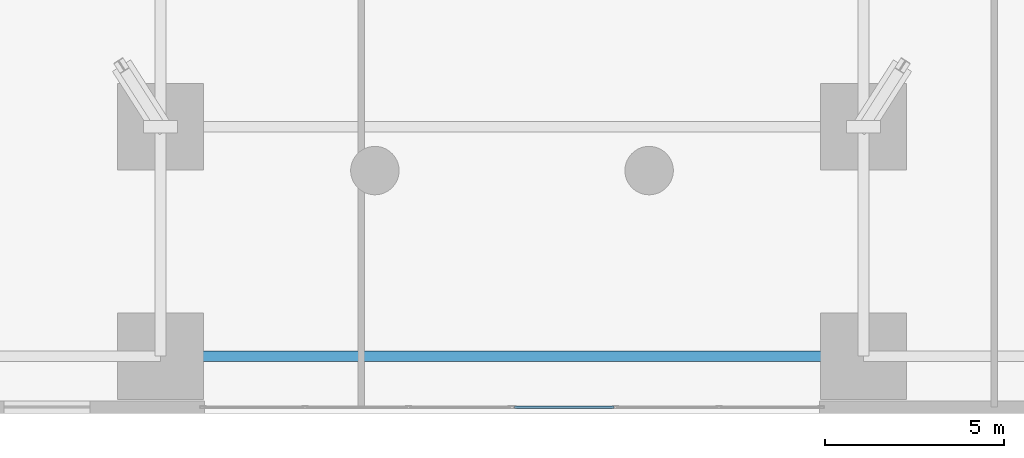
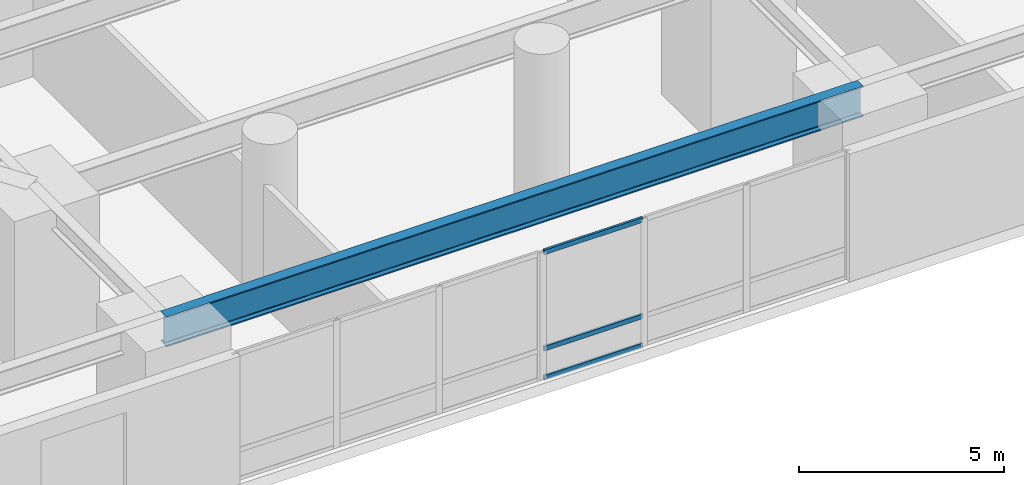
# One storey, part 5 of 17: 3 members, 1 beam, 1 element without a shape of its own.
"""IFC4 building model written with IfcOpenShell, lengths in metres."""

import ifcopenshell
import ifcopenshell.guid

model = None  # the IFC model being written
_history = None  # IfcOwnerHistory: only IFC2X3 demands one
_inside = {}  # id of a spatial element -> (the spatial element, [elements in it])
_under = {}  # id of a project, library or spatial element -> (it, [spatial elements below it])
_declared = {}  # id of a project -> (the project, [libraries it declares])
_typed = {}  # id of a type object -> (the type object, [elements of that type])
_made_of = {}  # id of a material, layer set ... -> (it, [elements and type objects made of it])


def new_model(schema):
    """Start an empty IFC model of exactly this schema.

    Asked for "IFC4X3", IfcOpenShell would pick the latest addendum, in which some entities
    have other attributes; the version numbers below select the first issue.
    IFC2X3 requires an IfcOwnerHistory on every rooted entity: one is made here for all.
    """
    global model, _history
    if schema == "IFC4X3":
        model = ifcopenshell.file(schema_version=(4, 3, 0, 0))
    else:
        model = ifcopenshell.file(schema=schema)
    _inside.clear()
    _under.clear()
    _declared.clear()
    _typed.clear()
    _made_of.clear()
    _history = None
    if model.schema == "IFC2X3":
        org = make("IfcOrganization", Name="unknown")
        user = make(
            "IfcPersonAndOrganization",
            ThePerson=make("IfcPerson", FamilyName="unknown"),
            TheOrganization=org,
        )
        app = make(
            "IfcApplication",
            ApplicationDeveloper=org,
            Version="unknown",
            ApplicationFullName="unknown",
            ApplicationIdentifier="unknown",
        )
        _history = make(
            "IfcOwnerHistory",
            OwningUser=user,
            OwningApplication=app,
            ChangeAction="ADDED",
            CreationDate=0,
        )
    return model


def make(cls, **values):
    """One entity of the class cls with the attributes given. An attribute that is None is left unset."""
    return model.create_entity(
        cls, **{name: value for name, value in values.items() if value is not None}
    )


def rooted(cls, **values):
    """An entity with a GlobalId (a new one), such as an element, a storey or a relation."""
    return make(cls, GlobalId=ifcopenshell.guid.new(), OwnerHistory=_history, **values)


def si_unit(unit_type, name, prefix=None):
    """IfcSIUnit, for example si_unit("LENGTHUNIT", "METRE", prefix="MILLI")."""
    return make("IfcSIUnit", UnitType=unit_type, Prefix=prefix, Name=name)


def assignment(units):
    """IfcUnitAssignment: the units of a project."""
    return None if units is None else make("IfcUnitAssignment", Units=units)


def point(xyz):
    """IfcCartesianPoint."""
    return None if xyz is None else make("IfcCartesianPoint", Coordinates=xyz)


def direction(xyz):
    """IfcDirection."""
    return None if xyz is None else make("IfcDirection", DirectionRatios=xyz)


def frame(location, z_axis=None, x_axis=None):
    """IfcAxis2Placement3D, a coordinate frame: its origin and axes. An axis left out is left unset."""
    return make(
        "IfcAxis2Placement3D",
        Location=point(location),
        Axis=direction(z_axis),
        RefDirection=direction(x_axis),
    )


def frame_2d(location, x_axis=None):
    """IfcAxis2Placement2D, a coordinate frame in the plane: its origin and x axis."""
    return make(
        "IfcAxis2Placement2D", Location=point(location), RefDirection=direction(x_axis)
    )


def origin():
    """The frame at (0, 0, 0) with its axes left unset."""
    return frame((0.0, 0.0, 0.0))


def origin_2d():
    """The frame at (0, 0) in the plane with its x axis left unset."""
    return frame_2d((0.0, 0.0))


def place(relative_to, where):
    """IfcLocalPlacement: puts the frame where relative to a parent placement (None: the world)."""
    return make(
        "IfcLocalPlacement", PlacementRelTo=relative_to, RelativePlacement=where
    )


def context(
    kind, dimensions, precision=None, world=None, true_north=None, identifier=None
):
    """IfcGeometricRepresentationContext, for example the 3D "Model" context."""
    return make(
        "IfcGeometricRepresentationContext",
        ContextIdentifier=identifier,
        ContextType=kind,
        CoordinateSpaceDimension=dimensions,
        Precision=precision,
        WorldCoordinateSystem=world,
        TrueNorth=true_north,
    )


def subcontext(parent, identifier, kind, view, scale=None):
    """IfcGeometricRepresentationSubContext, for example "Body" below "Model"."""
    return make(
        "IfcGeometricRepresentationSubContext",
        ContextIdentifier=identifier,
        ContextType=kind,
        ParentContext=parent,
        TargetScale=scale,
        TargetView=view,
    )


def project(units=None, contexts=None):
    """IfcProject with its units and contexts."""
    return rooted(
        "IfcProject",
        Name="project",
        RepresentationContexts=contexts,
        UnitsInContext=assignment(units),
    )


def spatial(cls, under=None, at=None, **own):
    """A site, building, storey or space (cls), placed at a placement, below another one or the project."""
    s = rooted(cls, ObjectPlacement=at, **own)
    if under is not None:
        _under.setdefault(under.id(), (under, []))[1].append(s)
    return s


def profile(cls, at=None, kind="AREA", **sizes):
    """A parametric profile (cls). Its sizes go by their IFC names, for example OverallWidth=200.0."""
    return make(cls, ProfileType=kind, Position=at, **sizes)


def hollow_rectangle(**sizes):
    """IfcRectangleHollowProfileDef."""
    return profile("IfcRectangleHollowProfileDef", **sizes)


def i_section(**sizes):
    """IfcIShapeProfileDef."""
    return profile("IfcIShapeProfileDef", **sizes)


def extrude(swept, where, along, depth):
    """IfcExtrudedAreaSolid: the profile swept, set in the frame where, extruded along a direction by depth."""
    return make(
        "IfcExtrudedAreaSolid",
        SweptArea=swept,
        Position=where,
        ExtrudedDirection=direction(along),
        Depth=depth,
    )


def shape(context_of_items, identifier, shape_type, items):
    """IfcShapeRepresentation: the items that make up one representation, for example the "Body"."""
    return make(
        "IfcShapeRepresentation",
        ContextOfItems=context_of_items,
        RepresentationIdentifier=identifier,
        RepresentationType=shape_type,
        Items=items,
    )


def material(Name=None, Category=None):
    """IfcMaterial."""
    return make("IfcMaterial", Name=Name, Category=Category)


def layer(
    of_material, thickness, ventilated=None, Name=None, Category=None, Priority=None
):
    """IfcMaterialLayer: one layer of a wall or slab, of a material (None: an air gap)."""
    return make(
        "IfcMaterialLayer",
        Material=of_material,
        LayerThickness=thickness,
        IsVentilated=ventilated,
        Name=Name,
        Category=Category,
        Priority=Priority,
    )


def layer_set(layers, Name=None):
    """IfcMaterialLayerSet."""
    return make("IfcMaterialLayerSet", MaterialLayers=layers, LayerSetName=Name)


def material_profile(
    of_material, cross_section, Name=None, Category=None, Priority=None
):
    """IfcMaterialProfile: a cross section and its material."""
    return make(
        "IfcMaterialProfile",
        Name=Name,
        Material=of_material,
        Profile=cross_section,
        Priority=Priority,
        Category=Category,
    )


def profile_set(profiles, Name=None, composite=None):
    """IfcMaterialProfileSet."""
    return make(
        "IfcMaterialProfileSet",
        Name=Name,
        MaterialProfiles=profiles,
        CompositeProfile=composite,
    )


def made_of(thing, what):
    """Note that an element or type object is made of a material, layer set ...; save() writes the relation."""
    if what is not None:
        _made_of.setdefault(what.id(), (what, []))[1].append(thing)
    return thing


def type_object(cls, material=None, **own):
    """A type object (cls), such as IfcWallType, which elements share."""
    return made_of(rooted(cls, **own), material)


def element(
    cls,
    number,
    at=None,
    inside=None,
    cuts=None,
    type_object=None,
    material=None,
    context=None,
    identifier="Body",
    shape_type=None,
    held_by="IfcProductDefinitionShape",
    body=None,
    shapes=None,
    **own,
):
    """One element of the class cls, such as IfcWall. Its Tag is "e" and its number.

    at: its placement. inside: the storey or other place that contains it. cuts: it is an
    opening in that element (IfcRelVoidsElement). A single representation is given by context,
    identifier, shape_type and body (its items); several are given by shapes. held_by: the class
    of the entity that holds the representations. save() writes the other relations.
    """
    e = rooted(cls, Tag="e%d" % number, ObjectPlacement=at, **own)
    if body is not None:
        shapes = [shape(context, identifier, shape_type, body)]
    if shapes is not None:
        e.Representation = make(held_by, Representations=shapes)
    if inside is not None:
        _inside.setdefault(inside.id(), (inside, []))[1].append(e)
    if cuts is not None:
        rooted(
            "IfcRelVoidsElement", RelatingBuildingElement=cuts, RelatedOpeningElement=e
        )
    if type_object is not None:
        _typed.setdefault(type_object.id(), (type_object, []))[1].append(e)
    return made_of(e, material)


def aggregate(whole, parts):
    """IfcRelAggregates: a whole, such as a stair, and the parts it consists of."""
    return rooted("IfcRelAggregates", RelatingObject=whole, RelatedObjects=parts)


def save(model, path):
    """Write the relations noted so far, then the file.

    IfcRelAggregates (storeys below a building ...), IfcRelContainedInSpatialStructure (elements
    in a storey), IfcRelDefinesByType, IfcRelAssociatesMaterial and IfcRelDeclares: one each for
    every whole, place, type object, material and project.
    """
    for whole, parts in _under.values():
        aggregate(whole, parts)
    for where, things in _inside.values():
        rooted(
            "IfcRelContainedInSpatialStructure",
            RelatedElements=things,
            RelatingStructure=where,
        )
    for kind, things in _typed.values():
        rooted("IfcRelDefinesByType", RelatedObjects=things, RelatingType=kind)
    for what, things in _made_of.values():
        rooted("IfcRelAssociatesMaterial", RelatedObjects=things, RelatingMaterial=what)
    for by, libraries in _declared.values():
        rooted("IfcRelDeclares", RelatingContext=by, RelatedDefinitions=libraries)
    model.write(path)


model = new_model("IFC4")

# Units and contexts
model_context = context("Model", 3, precision=1e-05, world=origin(), true_north=direction((0.0, 1.0)))
body_context = subcontext(model_context, "Body", "Model", "MODEL_VIEW")
ifc_project = project(units=[si_unit("LENGTHUNIT", "METRE"), si_unit("AREAUNIT", "SQUARE_METRE"), si_unit("VOLUMEUNIT", "CUBIC_METRE"), si_unit("PLANEANGLEUNIT", "RADIAN"), si_unit("MASSUNIT", "GRAM", prefix="KILO"), si_unit("THERMODYNAMICTEMPERATUREUNIT", "KELVIN"), si_unit("POWERUNIT", "WATT")], contexts=[model_context])

# Site, building, storey
site_placement = place(None, origin())
site = spatial("IfcSite", under=ifc_project, at=site_placement, CompositionType="ELEMENT")
building_placement = place(site_placement, origin())
building = spatial("IfcBuilding", under=site, at=building_placement, Name="Ocrelia Relay Tower", CompositionType="ELEMENT")
storey_placement = place(building_placement, frame((0.0, 0.0, 25.199951171875)))
storey = spatial("IfcBuildingStorey", under=building, at=storey_placement, Name="L05", CompositionType="ELEMENT", Elevation=25.199951171875)

# Beam
ifc_material_1 = material(Name="Steel S355", Category="steel")
ifc_material_profile_1 = material_profile(ifc_material_1, i_section(OverallWidth=0.300048828125, OverallDepth=0.89990234375, WebThickness=0.0185546875, FlangeThickness=0.034912109375, FilletRadius=0.030029296875, at=origin_2d()), Name="HEB 900")
ifc_profile_set_1 = profile_set([ifc_material_profile_1], Name="Steel S355")
beam_type = type_object("IfcBeamType", Name="BM-HEB900", PredefinedType="BEAM", material=ifc_profile_set_1)
beam_placement = place(storey_placement, frame((24.199951171875, 1.60009765625, 4.070068359375), z_axis=(1.0, 0.0, 0.0), x_axis=(0.0, 1.0, 0.0)))
element("IfcBeam", 1, at=beam_placement, inside=storey, type_object=beam_type, Name="L05 Portal Arch Span Transfer Girder G1", PredefinedType="BEAM", context=body_context, shape_type="SweptSolid", body=[
    extrude(i_section(OverallWidth=0.300048828125, OverallDepth=0.89990234375, WebThickness=0.0185546875, FlangeThickness=0.034912109375, FilletRadius=0.030029296875, at=origin_2d()), origin(), (0.0, 0.0, 1.0), 19.60009765625),
])

# Curtain wall, members
ifc_material_2 = material(Name="Aluminium and solar-control low-E glass", Category="aluminium")
ifc_layer = layer(ifc_material_2, 0.179931640625, Name="Aluminium and solar-control low-E glass")
ifc_layer_set = layer_set([ifc_layer], Name="Aluminium and solar-control low-E glass")
curtain_wall_type = type_object("IfcCurtainWallType", Name="CW-SYS-POD-GALL", PredefinedType="NOTDEFINED", material=ifc_layer_set)
curtain_wall_placement = place(storey_placement, origin())
curtain_wall = element("IfcCurtainWall", 2, at=curtain_wall_placement, inside=storey, type_object=curtain_wall_type, Name="L05 South Over-Arch Curtain Wall East", PredefinedType="NOTDEFINED")
ifc_material_3 = material(Name="Anodised bronze aluminium", Category="aluminium")
ifc_material_profile_2 = material_profile(ifc_material_3, hollow_rectangle(XDim=0.06494140625, YDim=0.139892578125, WallThickness=0.0048828125, at=origin_2d()), Name="CW-TRN-140x65")
ifc_profile_set_2 = profile_set([ifc_material_profile_2], Name="Anodised bronze aluminium")
member_type = type_object("IfcMemberType", Name="CW-SYS-POD-GALL-TRN", PredefinedType="USERDEFINED", material=ifc_profile_set_2)
member_1_placement = place(storey_placement, frame((34.070068359375, 0.179931640625, 0.032470703125), z_axis=(1.0, 0.0, 0.0), x_axis=(0.0, 1.0, 0.0)))
member_1 = element("IfcMember", 3, at=member_1_placement, type_object=member_type, Name="CW-PG transom 1.1", ObjectType="TRANSOM", PredefinedType="USERDEFINED", context=body_context, shape_type="SweptSolid", body=[
    extrude(hollow_rectangle(XDim=0.06494140625, YDim=0.139892578125, WallThickness=0.0048828125, at=origin_2d()), origin(), (0.0, 0.0, 1.0), 2.7783203125),
])
member_2_placement = place(storey_placement, frame((34.070068359375, 0.179931640625, 0.900146484375), z_axis=(1.0, 0.0, 0.0), x_axis=(0.0, 1.0, 0.0)))
member_2 = element("IfcMember", 4, at=member_2_placement, type_object=member_type, Name="CW-PG transom 1.2", ObjectType="TRANSOM", PredefinedType="USERDEFINED", context=body_context, shape_type="SweptSolid", body=[
    extrude(hollow_rectangle(XDim=0.06494140625, YDim=0.139892578125, WallThickness=0.0048828125, at=origin_2d()), origin(), (0.0, 0.0, 1.0), 2.7783203125),
])
member_3_placement = place(storey_placement, frame((34.070068359375, 0.179931640625, 3.767578125), z_axis=(1.0, 0.0, 0.0), x_axis=(0.0, 1.0, 0.0)))
member_3 = element("IfcMember", 5, at=member_3_placement, type_object=member_type, Name="CW-PG transom 1.3", ObjectType="TRANSOM", PredefinedType="USERDEFINED", context=body_context, shape_type="SweptSolid", body=[
    extrude(hollow_rectangle(XDim=0.06494140625, YDim=0.139892578125, WallThickness=0.0048828125, at=origin_2d()), origin(), (0.0, 0.0, 1.0), 2.7783203125),
])
aggregate(curtain_wall, [member_1, member_2, member_3])

save(model, "model.ifc")
